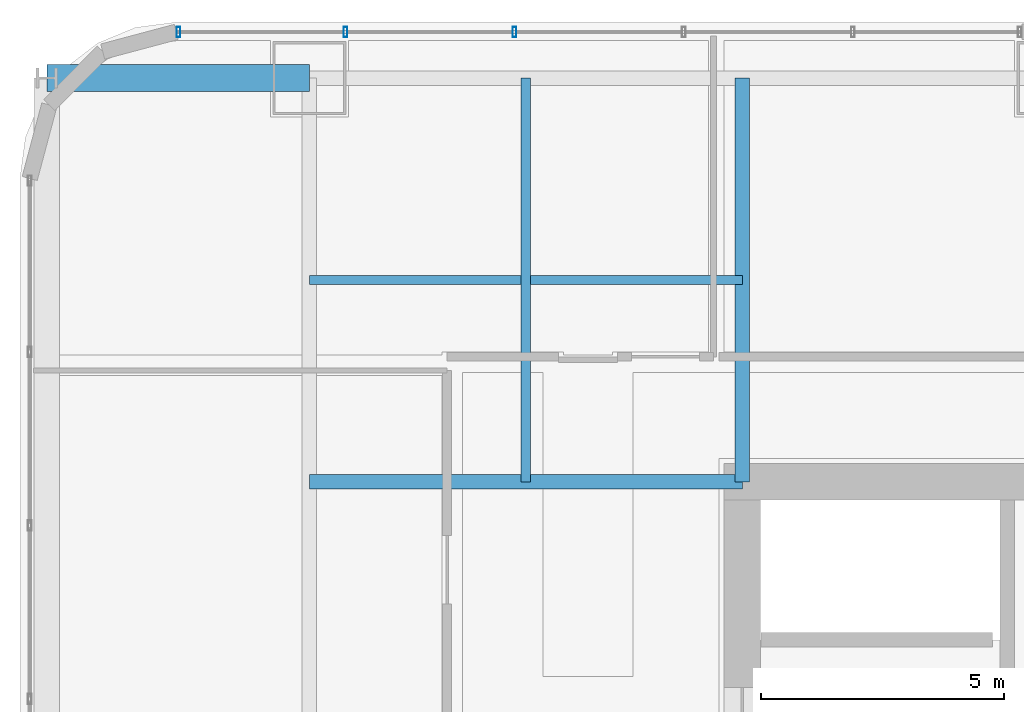
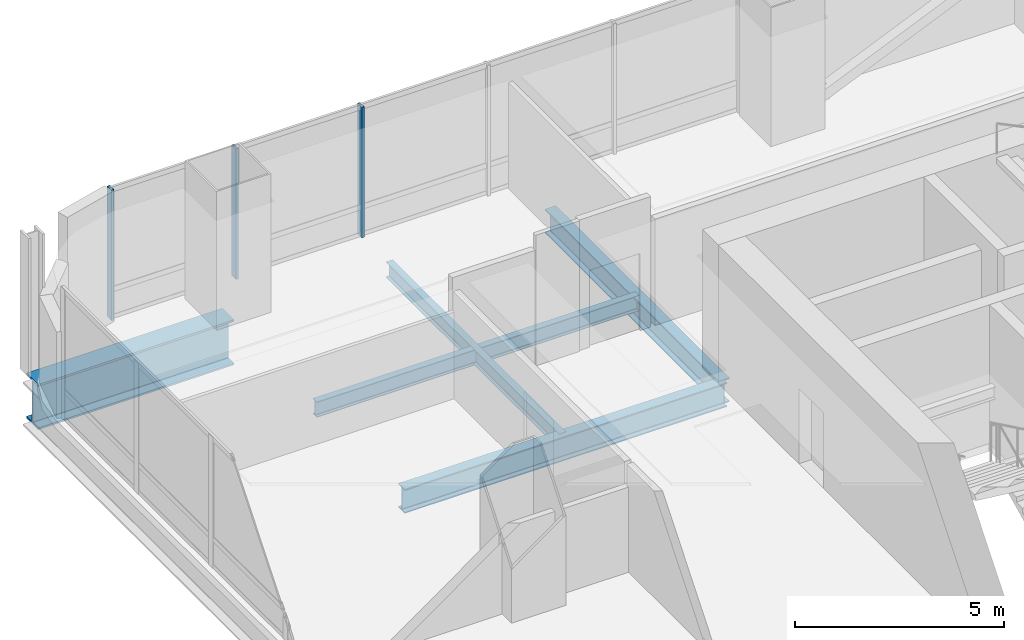
# One storey, part 18 of 37: 5 beams, 3 members, 1 element without a shape of its own.
"""IFC4 building model written with IfcOpenShell, lengths in metres."""

from ifc_helpers import new_model, si_unit, direction, frame, origin, origin_2d, place, context, subcontext, project, spatial, hollow_rectangle, i_section, extrude, material, material_profile, profile_set, type_object, element, aggregate, save


model = new_model("IFC4")

# Units and contexts
model_context = context("Model", 3, precision=1e-05, world=origin(), true_north=direction((0.0, 1.0)))
body_context = subcontext(model_context, "Body", "Model", "MODEL_VIEW")
ifc_project = project(units=[si_unit("LENGTHUNIT", "METRE"), si_unit("AREAUNIT", "SQUARE_METRE"), si_unit("VOLUMEUNIT", "CUBIC_METRE"), si_unit("PLANEANGLEUNIT", "RADIAN"), si_unit("MASSUNIT", "GRAM", prefix="KILO")], contexts=[model_context])

# Site, building, storey
site_placement = place(None, origin())
site = spatial("IfcSite", under=ifc_project, at=site_placement, CompositionType="ELEMENT")
building_placement = place(site_placement, origin())
building = spatial("IfcBuilding", under=site, at=building_placement, Name="Punatoya Terracotta Tower", CompositionType="ELEMENT")
storey_placement = place(building_placement, frame((0.0, 0.0, 44.39990234375)))
storey = spatial("IfcBuildingStorey", under=building, at=storey_placement, Name="L09", CompositionType="ELEMENT", Elevation=44.39990234375)

# Beams
ifc_material_1 = material(Name="Steel S355", Category="steel")
ifc_material_profile_1 = material_profile(ifc_material_1, i_section(OverallWidth=0.300048828125, OverallDepth=0.699951171875, WebThickness=0.01708984375, FlangeThickness=0.031982421875, FilletRadius=0.01806640625, at=origin_2d()))
ifc_profile_set_1 = profile_set([ifc_material_profile_1], Name="Steel S355")
beam_type_1 = type_object("IfcBeamType", Name="BM-PRI-700", PredefinedType="BEAM", material=ifc_profile_set_1)
beam_1_placement = place(storey_placement, frame((-19.10009765625, 9.199951171875, -0.58984375), z_axis=(1.0, 0.0, 0.0), x_axis=(0.0, 1.0, 0.0)))
element("IfcBeam", 1, at=beam_1_placement, inside=storey, type_object=beam_type_1, Name="BM-L09-PR-WN", PredefinedType="BEAM", context=body_context, shape_type="SweptSolid", body=[
    extrude(i_section(OverallWidth=0.300048828125, OverallDepth=0.699951171875, WebThickness=0.01708984375, FlangeThickness=0.031982421875, FilletRadius=0.01806640625, at=origin_2d()), origin(), (0.0, 0.0, 1.0), 8.900146484375),
])
beam_2_placement = place(storey_placement, frame((-10.199951171875, 9.199951171875, -0.58984375), z_axis=(0.0, 1.0, 0.0), x_axis=(-1.0, 0.0, 0.0)))
element("IfcBeam", 2, at=beam_2_placement, inside=storey, type_object=beam_type_1, Name="BM-L09-PR-N1", PredefinedType="BEAM", context=body_context, shape_type="SweptSolid", body=[
    extrude(i_section(OverallWidth=0.300048828125, OverallDepth=0.699951171875, WebThickness=0.01708984375, FlangeThickness=0.031982421875, FilletRadius=0.01806640625, at=origin_2d()), origin(), (0.0, 0.0, 1.0), 8.300048828125),
])
ifc_material_profile_2 = material_profile(ifc_material_1, i_section(OverallWidth=0.18994140625, OverallDepth=0.449951171875, WebThickness=0.009521484375, FlangeThickness=0.0146484375, FilletRadius=0.01806640625, at=origin_2d()))
ifc_profile_set_2 = profile_set([ifc_material_profile_2], Name="Steel S355")
beam_type_2 = type_object("IfcBeamType", Name="BM-SEC-450", PredefinedType="JOIST", material=ifc_profile_set_2)
beam_3_placement = place(storey_placement, frame((-19.10009765625, 13.35009765625, -0.46484375), z_axis=(1.0, 0.0, 0.0), x_axis=(0.0, 1.0, 0.0)))
element("IfcBeam", 3, at=beam_3_placement, inside=storey, type_object=beam_type_2, Name="BM-L09-SJN-1", PredefinedType="JOIST", context=body_context, shape_type="SweptSolid", body=[
    extrude(i_section(OverallWidth=0.18994140625, OverallDepth=0.449951171875, WebThickness=0.009521484375, FlangeThickness=0.0146484375, FilletRadius=0.01806640625, at=origin_2d()), origin(), (0.0, 0.0, 1.0), 8.900146484375),
])
beam_4_placement = place(storey_placement, frame((-14.64990234375, 9.199951171875, -0.46484375), z_axis=(0.0, 1.0, 0.0), x_axis=(-1.0, 0.0, 0.0)))
element("IfcBeam", 4, at=beam_4_placement, inside=storey, type_object=beam_type_2, Name="BM-L09-SJW-2", PredefinedType="JOIST", context=body_context, shape_type="SweptSolid", body=[
    extrude(i_section(OverallWidth=0.18994140625, OverallDepth=0.449951171875, WebThickness=0.009521484375, FlangeThickness=0.0146484375, FilletRadius=0.01806640625, at=origin_2d()), origin(), (0.0, 0.0, 1.0), 8.300048828125),
])
ifc_material_2 = material(Name="Steel S460", Category="steel")
ifc_material_profile_3 = material_profile(ifc_material_2, i_section(OverallWidth=0.56005859375, OverallDepth=1.320068359375, WebThickness=0.035888671875, FlangeThickness=0.054931640625, FilletRadius=0.01806640625, at=origin_2d()))
ifc_profile_set_3 = profile_set([ifc_material_profile_3], Name="Steel S460")
beam_type_3 = type_object("IfcBeamType", Name="BM-TG-BLK", PredefinedType="BEAM", material=ifc_profile_set_3)
beam_5_placement = place(storey_placement, frame((-24.5, 17.5, -0.89990234375), z_axis=(1.0, 0.0, 0.0), x_axis=(0.0, 1.0, 0.0)))
element("IfcBeam", 5, at=beam_5_placement, inside=storey, type_object=beam_type_3, Name="BM-L09-CANT-W4", PredefinedType="BEAM", context=body_context, shape_type="SweptSolid", body=[
    extrude(i_section(OverallWidth=0.56005859375, OverallDepth=1.320068359375, WebThickness=0.035888671875, FlangeThickness=0.054931640625, FilletRadius=0.01806640625, at=origin_2d()), origin(), (0.0, 0.0, 1.0), 5.39990234375),
])

# Curtain wall, members
ifc_material_3 = material(Name="Aluminium 6063-T6 + Double Low-E Glass", Category="aluminium")
curtain_wall_type = type_object("IfcCurtainWallType", Name="CW-M1", PredefinedType="NOTDEFINED", material=ifc_material_3)
curtain_wall_placement = place(storey_placement, origin())
curtain_wall = element("IfcCurtainWall", 6, at=curtain_wall_placement, inside=storey, type_object=curtain_wall_type, Name="L09 Curtain Wall CW-L09-N09-2", PredefinedType="NOTDEFINED")
ifc_material_4 = material(Name="Aluminium 6063-T6", Category="aluminium")
ifc_material_profile_4 = material_profile(ifc_material_4, hollow_rectangle(XDim=0.074951171875, YDim=0.2099609375, WallThickness=0.00439453125, at=origin_2d()))
ifc_profile_set_4 = profile_set([ifc_material_profile_4], Name="Aluminium 6063-T6")
member_type = type_object("IfcMemberType", Name="CW-MUL-M1", PredefinedType="MULLION", material=ifc_profile_set_4)
member_1_placement = place(storey_placement, frame((-14.882080078125, 18.449951171875, 0.0), z_axis=(0.0, 0.0, 1.0), x_axis=(1.0, 0.0, 0.0)))
member_1 = element("IfcMember", 7, at=member_1_placement, type_object=member_type, Name="CW-L09-N09-2 Mullion 03", PredefinedType="MULLION", context=body_context, shape_type="SweptSolid", body=[
    extrude(hollow_rectangle(XDim=0.074951171875, YDim=0.2099609375, WallThickness=0.00439453125, at=origin_2d()), origin(), (0.0, 0.0, 1.0), 3.81005859375),
])
member_2_placement = place(storey_placement, frame((-18.359619140625, 18.449951171875, 0.0), z_axis=(0.0, 0.0, 1.0), x_axis=(1.0, 0.0, 0.0)))
member_2 = element("IfcMember", 8, at=member_2_placement, type_object=member_type, Name="CW-L09-N09-2 Mullion 04", PredefinedType="MULLION", context=body_context, shape_type="SweptSolid", body=[
    extrude(hollow_rectangle(XDim=0.074951171875, YDim=0.2099609375, WallThickness=0.00439453125, at=origin_2d()), origin(), (0.0, 0.0, 1.0), 3.81005859375),
])
member_3_placement = place(storey_placement, frame((-21.7919921875, 18.449951171875, 0.0), z_axis=(0.0, 0.0, 1.0), x_axis=(1.0, 0.0, 0.0)))
member_3 = element("IfcMember", 9, at=member_3_placement, type_object=member_type, Name="CW-L09-N09-2 Mullion 05", PredefinedType="MULLION", context=body_context, shape_type="SweptSolid", body=[
    extrude(hollow_rectangle(XDim=0.074951171875, YDim=0.2099609375, WallThickness=0.00439453125, at=origin_2d()), origin(), (0.0, 0.0, 1.0), 3.81005859375),
])
aggregate(curtain_wall, [member_1, member_2, member_3])

save(model, "model.ifc")
